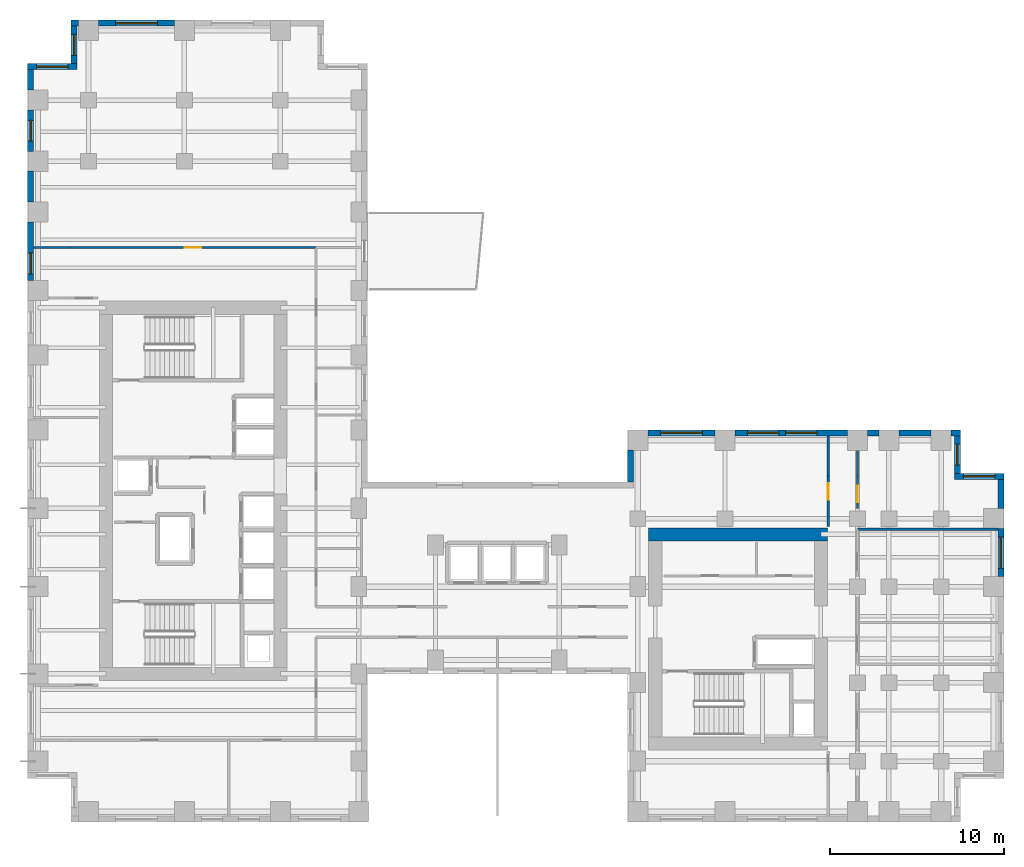
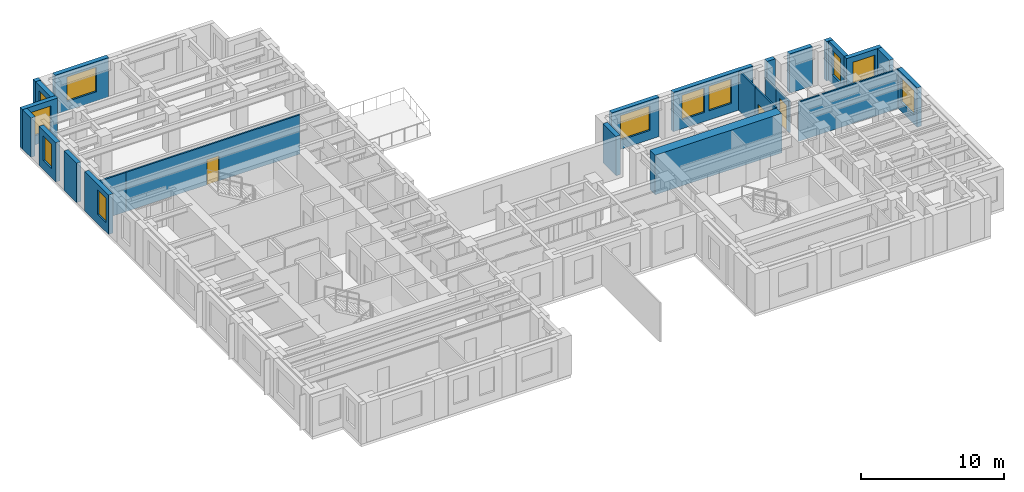
# One storey, part 8 of 11: 26 walls, 11 windows, 3 doors, 14 openings.
"""IFC4 building model written with IfcOpenShell, lengths in metres."""

from ifc_helpers import new_model, si_unit, direction, frame, frame_2d, origin, place, context, subcontext, project, spatial, rectangle, extrude, source, transform, mapped, material, layer, layer_set, type_object, element, fill, save


model = new_model("IFC4")

# Units and contexts
model_context = context("Model", 3, precision=1e-05, world=origin(), true_north=direction((0.0, 1.0)))
body_context = subcontext(model_context, "Body", "Model", "MODEL_VIEW")
ifc_project = project(units=[si_unit("LENGTHUNIT", "METRE"), si_unit("AREAUNIT", "SQUARE_METRE"), si_unit("VOLUMEUNIT", "CUBIC_METRE"), si_unit("PLANEANGLEUNIT", "RADIAN"), si_unit("MASSUNIT", "GRAM", prefix="KILO")], contexts=[model_context])

# Site, building, storey
site_placement = place(None, origin())
site = spatial("IfcSite", under=ifc_project, at=site_placement, CompositionType="ELEMENT")
building_placement = place(site_placement, origin())
building = spatial("IfcBuilding", under=site, at=building_placement, Name="Kharzan Plaza Tower", CompositionType="ELEMENT")
storey_placement = place(building_placement, frame((0.0, 0.0, 99.0)))
storey = spatial("IfcBuildingStorey", under=building, at=storey_placement, Name="L26", CompositionType="ELEMENT", Elevation=99.0)

# Wall, opening, window
ifc_material_1 = material(Name="Concrete C40/50", Category="concrete")
ifc_layer_1 = layer(ifc_material_1, 0.35009765625)
ifc_layer_set_1 = layer_set([ifc_layer_1], Name="Concrete C40/50")
wall_type_1 = type_object("IfcWallType", Name="WL-EXT-MAS-Z2", PredefinedType="SOLIDWALL", material=ifc_layer_set_1)
wall_1_placement = place(storey_placement, frame((8.427001953125, 45.824951171875, 0.0), z_axis=(0.0, 0.0, 1.0), x_axis=(-1.0, 0.0, 0.0)))
wall_1 = element("IfcWall", 1, at=wall_1_placement, inside=storey, type_object=wall_type_1, Name="L26 Masonry-Frame Exterior Wall 12", PredefinedType="SOLIDWALL", context=body_context, shape_type="SweptSolid", body=[
    extrude(rectangle(XDim=4.35400390625, YDim=0.35009765625, at=frame_2d((2.177001953125, 0.0))), origin(), (0.0, 0.0, 1.0), 3.364990234375),
])
opening_1_placement = place(wall_1_placement, frame((0.97705078125, 0.0, 0.780029296875)))
opening_1 = element("IfcOpeningElement", 2, at=opening_1_placement, cuts=wall_1, Name="Opening W2", PredefinedType="OPENING", context=body_context, shape_type="SweptSolid", body=[
    extrude(rectangle(XDim=2.39990234375, YDim=2.10009765625, at=frame_2d((1.199951171875, 1.050048828125))), frame((0.0, 0.18505859375, 0.0), z_axis=(0.0, -1.0, 0.0), x_axis=(1.0, 0.0, 0.0)), (0.0, 0.0, 1.0), 0.3701171875),
])
ifc_material_2 = material(Name="Low-E Double Glazing", Category="glass")
window_type_1 = type_object("IfcWindowType", Name="WN-REC-2400x2100", PartitioningType="SINGLE_PANEL", PredefinedType="WINDOW", material=ifc_material_2)
shared_shape_1 = source(origin(), body_context, "Body", "SweptSolid", [
    extrude(rectangle(XDim=2.39990234375, YDim=2.10009765625, at=frame_2d((1.199951171875, 1.050048828125))), frame((0.0, 0.030029296875, 0.0), z_axis=(0.0, -1.0, 0.0), x_axis=(1.0, 0.0, 0.0)), (0.0, 0.0, 1.0), 0.06005859375),
])
window_1_placement = place(opening_1_placement, origin())
window_1 = element("IfcWindow", 3, at=window_1_placement, inside=storey, type_object=window_type_1, Name="L26 Wide Recessed Solar-Control Window 12-1", OverallHeight=2.10009765625, OverallWidth=2.39990234375, PartitioningType="SINGLE_PANEL", PredefinedType="WINDOW", context=body_context, shape_type="MappedRepresentation", body=[
    mapped(shared_shape_1, transform((0.0, 0.0, 0.0), x_axis=(1.0, 0.0, 0.0), y_axis=(0.0, 1.0, 0.0), z_axis=(0.0, 0.0, 1.0))),
])
fill(opening_1, window_1)

wall_2_placement = place(storey_placement, frame((2.675048828125, 45.652099609375, 0.0), z_axis=(0.0, 0.0, 1.0), x_axis=(0.0, -1.0, 0.0)))
wall_2 = element("IfcWall", 4, at=wall_2_placement, inside=storey, type_object=wall_type_1, Name="L26 Masonry-Frame Exterior Wall 14", PredefinedType="SOLIDWALL", context=body_context, shape_type="SweptSolid", body=[
    extrude(rectangle(XDim=2.154052734375, YDim=0.35009765625, at=frame_2d((1.0771484375, 0.0))), origin(), (0.0, 0.0, 1.0), 3.364990234375),
])
opening_2_placement = place(wall_2_placement, frame((0.47705078125, 0.0, 0.780029296875)))
opening_2 = element("IfcOpeningElement", 5, at=opening_2_placement, cuts=wall_2, Name="Opening W3", PredefinedType="OPENING", context=body_context, shape_type="SweptSolid", body=[
    extrude(rectangle(XDim=1.199951171875, YDim=2.10009765625, at=frame_2d((0.60009765625, 1.050048828125))), frame((0.0, 0.18505859375, 0.0), z_axis=(0.0, -1.0, 0.0), x_axis=(1.0, 0.0, 0.0)), (0.0, 0.0, 1.0), 0.3701171875),
])
window_type_2 = type_object("IfcWindowType", Name="WN-REC-1200x2100", PartitioningType="SINGLE_PANEL", PredefinedType="WINDOW", material=ifc_material_2)
shared_shape_2 = source(origin(), body_context, "Body", "SweptSolid", [
    extrude(rectangle(XDim=1.199951171875, YDim=2.10009765625, at=frame_2d((0.60009765625, 1.050048828125))), frame((0.0, 0.030029296875, 0.0), z_axis=(0.0, -1.0, 0.0), x_axis=(1.0, 0.0, 0.0)), (0.0, 0.0, 1.0), 0.06005859375),
])
window_2_placement = place(opening_2_placement, origin())
window_2 = element("IfcWindow", 6, at=window_2_placement, inside=storey, type_object=window_type_2, Name="L26 Recessed Solar-Control Window 14-1", OverallHeight=2.10009765625, OverallWidth=1.199951171875, PartitioningType="SINGLE_PANEL", PredefinedType="WINDOW", context=body_context, shape_type="MappedRepresentation", body=[
    mapped(shared_shape_2, transform((0.0, 0.0, 0.0), x_axis=(1.0, 0.0, 0.0), y_axis=(0.0, 1.0, 0.0), z_axis=(0.0, 0.0, 1.0))),
])
fill(opening_2, window_2)

wall_3_placement = place(storey_placement, frame((2.85009765625, 43.324951171875, 0.0), z_axis=(0.0, 0.0, 1.0), x_axis=(-1.0, 0.0, 0.0)))
wall_3 = element("IfcWall", 7, at=wall_3_placement, inside=storey, type_object=wall_type_1, Name="L26 Masonry-Frame Exterior Wall 15", PredefinedType="SOLIDWALL", context=body_context, shape_type="SweptSolid", body=[
    extrude(rectangle(XDim=2.85009765625, YDim=0.35009765625, at=frame_2d((1.425048828125, 0.0))), origin(), (0.0, 0.0, 1.0), 3.364990234375),
])
opening_3_placement = place(wall_3_placement, frame((0.52490234375, 0.0, 0.780029296875)))
opening_3 = element("IfcOpeningElement", 8, at=opening_3_placement, cuts=wall_3, Name="Opening W1", PredefinedType="OPENING", context=body_context, shape_type="SweptSolid", body=[
    extrude(rectangle(XDim=1.800048828125, YDim=2.10009765625, at=frame_2d((0.89990234375, 1.050048828125))), frame((0.0, 0.18505859375, 0.0), z_axis=(0.0, -1.0, 0.0), x_axis=(1.0, 0.0, 0.0)), (0.0, 0.0, 1.0), 0.3701171875),
])
window_type_3 = type_object("IfcWindowType", Name="WN-REC-1800x2100", PartitioningType="SINGLE_PANEL", PredefinedType="WINDOW", material=ifc_material_2)
shared_shape_3 = source(origin(), body_context, "Body", "SweptSolid", [
    extrude(rectangle(XDim=1.800048828125, YDim=2.10009765625, at=frame_2d((0.89990234375, 1.050048828125))), frame((0.0, 0.030029296875, 0.0), z_axis=(0.0, -1.0, 0.0), x_axis=(1.0, 0.0, 0.0)), (0.0, 0.0, 1.0), 0.06005859375),
])
window_3_placement = place(opening_3_placement, origin())
window_3 = element("IfcWindow", 9, at=window_3_placement, inside=storey, type_object=window_type_3, Name="L26 Recessed Solar-Control Window 15-1", OverallHeight=2.10009765625, OverallWidth=1.800048828125, PartitioningType="SINGLE_PANEL", PredefinedType="WINDOW", context=body_context, shape_type="MappedRepresentation", body=[
    mapped(shared_shape_3, transform((0.0, 0.0, 0.0), x_axis=(1.0, 0.0, 0.0), y_axis=(0.0, 1.0, 0.0), z_axis=(0.0, 0.0, 1.0))),
])
fill(opening_3, window_3)

wall_4_placement = place(storey_placement, frame((0.175048828125, 40.826904296875, 0.0), z_axis=(0.0, 0.0, 1.0), x_axis=(0.0, -1.0, 0.0)))
wall_4 = element("IfcWall", 10, at=wall_4_placement, inside=storey, type_object=wall_type_1, Name="L26 Masonry-Frame Exterior Wall 17", PredefinedType="SOLIDWALL", context=body_context, shape_type="SweptSolid", body=[
    extrude(rectangle(XDim=2.35400390625, YDim=0.35009765625, at=frame_2d((1.177001953125, 0.0))), origin(), (0.0, 0.0, 1.0), 3.364990234375),
])
opening_4_placement = place(wall_4_placement, frame((0.576904296875, 0.0, 0.780029296875)))
opening_4 = element("IfcOpeningElement", 11, at=opening_4_placement, cuts=wall_4, Name="Opening W3", PredefinedType="OPENING", context=body_context, shape_type="SweptSolid", body=[
    extrude(rectangle(XDim=1.199951171875, YDim=2.10009765625, at=frame_2d((0.60009765625, 1.050048828125))), frame((0.0, 0.18505859375, 0.0), z_axis=(0.0, -1.0, 0.0), x_axis=(1.0, 0.0, 0.0)), (0.0, 0.0, 1.0), 0.3701171875),
])
window_4_placement = place(opening_4_placement, origin())
window_4 = element("IfcWindow", 12, at=window_4_placement, inside=storey, type_object=window_type_2, Name="L26 Recessed Solar-Control Window 17-1", OverallHeight=2.10009765625, OverallWidth=1.199951171875, PartitioningType="SINGLE_PANEL", PredefinedType="WINDOW", context=body_context, shape_type="MappedRepresentation", body=[
    mapped(shared_shape_2, transform((0.0, 0.0, 0.0), x_axis=(1.0, 0.0, 0.0), y_axis=(0.0, 1.0, 0.0), z_axis=(0.0, 0.0, 1.0))),
])
fill(opening_4, window_4)

wall_5_placement = place(storey_placement, frame((0.175048828125, 34.427001953125, 0.0), z_axis=(0.0, 0.0, 1.0), x_axis=(0.0, -1.0, 0.0)))
wall_5 = element("IfcWall", 13, at=wall_5_placement, inside=storey, type_object=wall_type_1, Name="L26 Masonry-Frame Exterior Wall 19", PredefinedType="SOLIDWALL", context=body_context, shape_type="SweptSolid", body=[
    extrude(rectangle(XDim=3.35400390625, YDim=0.35009765625, at=frame_2d((1.677001953125, 0.0))), origin(), (0.0, 0.0, 1.0), 3.364990234375),
])
opening_5_placement = place(wall_5_placement, frame((1.780517578125, 0.0, 0.780029296875)))
opening_5 = element("IfcOpeningElement", 14, at=opening_5_placement, cuts=wall_5, Name="Opening W3", PredefinedType="OPENING", context=body_context, shape_type="SweptSolid", body=[
    extrude(rectangle(XDim=1.199951171875, YDim=2.10009765625, at=frame_2d((0.60009765625, 1.050048828125))), frame((0.0, 0.18505859375, 0.0), z_axis=(0.0, -1.0, 0.0), x_axis=(1.0, 0.0, 0.0)), (0.0, 0.0, 1.0), 0.3701171875),
])
window_5_placement = place(opening_5_placement, origin())
window_5 = element("IfcWindow", 15, at=window_5_placement, inside=storey, type_object=window_type_2, Name="L26 Recessed Solar-Control Window 19-1", OverallHeight=2.10009765625, OverallWidth=1.199951171875, PartitioningType="SINGLE_PANEL", PredefinedType="WINDOW", context=body_context, shape_type="MappedRepresentation", body=[
    mapped(shared_shape_2, transform((0.0, 0.0, 0.0), x_axis=(1.0, 0.0, 0.0), y_axis=(0.0, 1.0, 0.0), z_axis=(0.0, 0.0, 1.0))),
])
fill(opening_5, window_5)

wall_6_placement = place(storey_placement, frame((55.824951171875, 14.072998046875, 0.0), z_axis=(0.0, 0.0, 1.0), x_axis=(0.0, 1.0, 0.0)))
wall_6 = element("IfcWall", 16, at=wall_6_placement, inside=storey, type_object=wall_type_1, Name="L26 Masonry-Frame Exterior Wall 48", PredefinedType="SOLIDWALL", context=body_context, shape_type="SweptSolid", body=[
    extrude(rectangle(XDim=2.75390625, YDim=0.35009765625, at=frame_2d((1.376953125, 0.0))), origin(), (0.0, 0.0, 1.0), 3.364990234375),
])
opening_6_placement = place(wall_6_placement, frame((0.47705078125, 0.0, 0.780029296875)))
opening_6 = element("IfcOpeningElement", 17, at=opening_6_placement, cuts=wall_6, Name="Opening W1", PredefinedType="OPENING", context=body_context, shape_type="SweptSolid", body=[
    extrude(rectangle(XDim=1.800048828125, YDim=2.10009765625, at=frame_2d((0.89990234375, 1.050048828125))), frame((0.0, 0.18505859375, 0.0), z_axis=(0.0, -1.0, 0.0), x_axis=(1.0, 0.0, 0.0)), (0.0, 0.0, 1.0), 0.3701171875),
])
window_6_placement = place(opening_6_placement, origin())
window_6 = element("IfcWindow", 18, at=window_6_placement, inside=storey, type_object=window_type_3, Name="L26 Recessed Solar-Control Window 48-1", OverallHeight=2.10009765625, OverallWidth=1.800048828125, PartitioningType="SINGLE_PANEL", PredefinedType="WINDOW", context=body_context, shape_type="MappedRepresentation", body=[
    mapped(shared_shape_3, transform((0.0, 0.0, 0.0), x_axis=(1.0, 0.0, 0.0), y_axis=(0.0, 1.0, 0.0), z_axis=(0.0, 0.0, 1.0))),
])
fill(opening_6, window_6)

wall_7_placement = place(storey_placement, frame((56.0, 19.824951171875, 0.0), z_axis=(0.0, 0.0, 1.0), x_axis=(-1.0, 0.0, 0.0)))
wall_7 = element("IfcWall", 19, at=wall_7_placement, inside=storey, type_object=wall_type_1, Name="L26 Masonry-Frame Exterior Wall 50", PredefinedType="SOLIDWALL", context=body_context, shape_type="SweptSolid", body=[
    extrude(rectangle(XDim=2.85009765625, YDim=0.35009765625, at=frame_2d((1.425048828125, 0.0))), origin(), (0.0, 0.0, 1.0), 3.364990234375),
])
opening_7_placement = place(wall_7_placement, frame((0.52490234375, 0.0, 0.780029296875)))
opening_7 = element("IfcOpeningElement", 20, at=opening_7_placement, cuts=wall_7, Name="Opening W1", PredefinedType="OPENING", context=body_context, shape_type="SweptSolid", body=[
    extrude(rectangle(XDim=1.800048828125, YDim=2.10009765625, at=frame_2d((0.89990234375, 1.050048828125))), frame((0.0, 0.18505859375, 0.0), z_axis=(0.0, -1.0, 0.0), x_axis=(1.0, 0.0, 0.0)), (0.0, 0.0, 1.0), 0.3701171875),
])
window_7_placement = place(opening_7_placement, origin())
window_7 = element("IfcWindow", 21, at=window_7_placement, inside=storey, type_object=window_type_3, Name="L26 Recessed Solar-Control Window 50-1", OverallHeight=2.10009765625, OverallWidth=1.800048828125, PartitioningType="SINGLE_PANEL", PredefinedType="WINDOW", context=body_context, shape_type="MappedRepresentation", body=[
    mapped(shared_shape_3, transform((0.0, 0.0, 0.0), x_axis=(1.0, 0.0, 0.0), y_axis=(0.0, 1.0, 0.0), z_axis=(0.0, 0.0, 1.0))),
])
fill(opening_7, window_7)

wall_8_placement = place(storey_placement, frame((53.324951171875, 19.998046875, 0.0), z_axis=(0.0, 0.0, 1.0), x_axis=(0.0, 1.0, 0.0)))
wall_8 = element("IfcWall", 22, at=wall_8_placement, inside=storey, type_object=wall_type_1, Name="L26 Masonry-Frame Exterior Wall 51", PredefinedType="SOLIDWALL", context=body_context, shape_type="SweptSolid", body=[
    extrude(rectangle(XDim=2.154052734375, YDim=0.35009765625, at=frame_2d((1.0771484375, 0.0))), origin(), (0.0, 0.0, 1.0), 3.364990234375),
])
opening_8_placement = place(wall_8_placement, frame((0.47705078125, 0.0, 0.780029296875)))
opening_8 = element("IfcOpeningElement", 23, at=opening_8_placement, cuts=wall_8, Name="Opening W3", PredefinedType="OPENING", context=body_context, shape_type="SweptSolid", body=[
    extrude(rectangle(XDim=1.199951171875, YDim=2.10009765625, at=frame_2d((0.60009765625, 1.050048828125))), frame((0.0, 0.18505859375, 0.0), z_axis=(0.0, -1.0, 0.0), x_axis=(1.0, 0.0, 0.0)), (0.0, 0.0, 1.0), 0.3701171875),
])
window_8_placement = place(opening_8_placement, origin())
window_8 = element("IfcWindow", 24, at=window_8_placement, inside=storey, type_object=window_type_2, Name="L26 Recessed Solar-Control Window 51-1", OverallHeight=2.10009765625, OverallWidth=1.199951171875, PartitioningType="SINGLE_PANEL", PredefinedType="WINDOW", context=body_context, shape_type="MappedRepresentation", body=[
    mapped(shared_shape_2, transform((0.0, 0.0, 0.0), x_axis=(1.0, 0.0, 0.0), y_axis=(0.0, 1.0, 0.0), z_axis=(0.0, 0.0, 1.0))),
])
fill(opening_8, window_8)

# Wall, openings, windows
wall_9_placement = place(storey_placement, frame((47.027099609375, 22.324951171875, 0.0), z_axis=(0.0, 0.0, 1.0), x_axis=(-1.0, 0.0, 0.0)))
wall_9 = element("IfcWall", 25, at=wall_9_placement, inside=storey, type_object=wall_type_1, Name="L26 Masonry-Frame Exterior Wall 55", PredefinedType="SOLIDWALL", context=body_context, shape_type="SweptSolid", body=[
    extrude(rectangle(XDim=6.4541015625, YDim=0.35009765625, at=frame_2d((3.22705078125, 0.0))), origin(), (0.0, 0.0, 1.0), 3.364990234375),
])
opening_9_placement = place(wall_9_placement, frame((1.749267578125, 0.0, 0.780029296875)))
opening_9 = element("IfcOpeningElement", 26, at=opening_9_placement, cuts=wall_9, Name="Opening W1", PredefinedType="OPENING", context=body_context, shape_type="SweptSolid", body=[
    extrude(rectangle(XDim=1.800048828125, YDim=2.10009765625, at=frame_2d((0.89990234375, 1.050048828125))), frame((0.0, 0.18505859375, 0.0), z_axis=(0.0, -1.0, 0.0), x_axis=(1.0, 0.0, 0.0)), (0.0, 0.0, 1.0), 0.3701171875),
])
opening_10_placement = place(wall_9_placement, frame((3.941650390625, 0.0, 0.780029296875)))
opening_10 = element("IfcOpeningElement", 27, at=opening_10_placement, cuts=wall_9, Name="Opening W1", PredefinedType="OPENING", context=body_context, shape_type="SweptSolid", body=[
    extrude(rectangle(XDim=1.800048828125, YDim=2.10009765625, at=frame_2d((0.89990234375, 1.050048828125))), frame((0.0, 0.18505859375, 0.0), z_axis=(0.0, -1.0, 0.0), x_axis=(1.0, 0.0, 0.0)), (0.0, 0.0, 1.0), 0.3701171875),
])
window_9_placement = place(opening_9_placement, origin())
window_9 = element("IfcWindow", 28, at=window_9_placement, inside=storey, type_object=window_type_3, Name="L26 Recessed Solar-Control Window 55-1", OverallHeight=2.10009765625, OverallWidth=1.800048828125, PartitioningType="SINGLE_PANEL", PredefinedType="WINDOW", context=body_context, shape_type="MappedRepresentation", body=[
    mapped(shared_shape_3, transform((0.0, 0.0, 0.0), x_axis=(1.0, 0.0, 0.0), y_axis=(0.0, 1.0, 0.0), z_axis=(0.0, 0.0, 1.0))),
])
fill(opening_9, window_9)
window_10_placement = place(opening_10_placement, origin())
window_10 = element("IfcWindow", 29, at=window_10_placement, inside=storey, type_object=window_type_3, Name="L26 Recessed Solar-Control Window 55-2", OverallHeight=2.10009765625, OverallWidth=1.800048828125, PartitioningType="SINGLE_PANEL", PredefinedType="WINDOW", context=body_context, shape_type="MappedRepresentation", body=[
    mapped(shared_shape_3, transform((0.0, 0.0, 0.0), x_axis=(1.0, 0.0, 0.0), y_axis=(0.0, 1.0, 0.0), z_axis=(0.0, 0.0, 1.0))),
])
fill(opening_10, window_10)

# Wall, opening, window
wall_10_placement = place(storey_placement, frame((39.427001953125, 22.324951171875, 0.0), z_axis=(0.0, 0.0, 1.0), x_axis=(-1.0, 0.0, 0.0)))
wall_10 = element("IfcWall", 30, at=wall_10_placement, inside=storey, type_object=wall_type_1, Name="L26 Masonry-Frame Exterior Wall 56", PredefinedType="SOLIDWALL", context=body_context, shape_type="SweptSolid", body=[
    extrude(rectangle(XDim=3.85400390625, YDim=0.35009765625, at=frame_2d((1.927001953125, 0.0))), origin(), (0.0, 0.0, 1.0), 3.364990234375),
])
opening_11_placement = place(wall_10_placement, frame((0.72705078125, 0.0, 0.780029296875)))
opening_11 = element("IfcOpeningElement", 31, at=opening_11_placement, cuts=wall_10, Name="Opening W2", PredefinedType="OPENING", context=body_context, shape_type="SweptSolid", body=[
    extrude(rectangle(XDim=2.39990234375, YDim=2.10009765625, at=frame_2d((1.199951171875, 1.050048828125))), frame((0.0, 0.18505859375, 0.0), z_axis=(0.0, -1.0, 0.0), x_axis=(1.0, 0.0, 0.0)), (0.0, 0.0, 1.0), 0.3701171875),
])
window_11_placement = place(opening_11_placement, origin())
window_11 = element("IfcWindow", 32, at=window_11_placement, inside=storey, type_object=window_type_1, Name="L26 Wide Recessed Solar-Control Window 56-1", OverallHeight=2.10009765625, OverallWidth=2.39990234375, PartitioningType="SINGLE_PANEL", PredefinedType="WINDOW", context=body_context, shape_type="MappedRepresentation", body=[
    mapped(shared_shape_1, transform((0.0, 0.0, 0.0), x_axis=(1.0, 0.0, 0.0), y_axis=(0.0, 1.0, 0.0), z_axis=(0.0, 0.0, 1.0))),
])
fill(opening_11, window_11)

# Wall, opening, door
ifc_material_3 = material(Name="Fire-Rated Gypsum Board Partition", Category="gypsum")
ifc_layer_2 = layer(ifc_material_3, 0.125)
ifc_layer_set_2 = layer_set([ifc_layer_2], Name="Fire-Rated Gypsum Board Partition")
wall_type_2 = type_object("IfcWallType", Name="WL-INT-PART-125", PredefinedType="PARTITIONING", material=ifc_layer_set_2)
wall_11_placement = place(storey_placement, frame((47.60009765625, 17.989990234375, 0.0), z_axis=(0.0, 0.0, 1.0), x_axis=(0.0, 1.0, 0.0)))
wall_11 = element("IfcWall", 33, at=wall_11_placement, inside=storey, type_object=wall_type_2, Name="L26 Interior Partition SH-B1W2", PredefinedType="PARTITIONING", context=body_context, shape_type="SweptSolid", body=[
    extrude(rectangle(XDim=1.860107421875, YDim=0.125, at=frame_2d((0.93017578125, 0.0))), origin(), (0.0, 0.0, 1.0), 2.677001953125),
])
opening_12_placement = place(wall_11_placement, frame((0.36328125, 0.0, 0.0)))
opening_12 = element("IfcOpeningElement", 34, at=opening_12_placement, cuts=wall_11, Name="Opening OD1", PredefinedType="OPENING", context=body_context, shape_type="SweptSolid", body=[
    extrude(rectangle(XDim=0.949951171875, YDim=2.14990234375, at=frame_2d((0.47509765625, 1.074951171875))), frame((0.0, 0.072509765625, 0.0), z_axis=(0.0, -1.0, 0.0), x_axis=(1.0, 0.0, 0.0)), (0.0, 0.0, 1.0), 0.14501953125),
])
ifc_material_4 = material(Name="Acoustic Solid-Core Stained Oak", Category="timber")
door_type = type_object("IfcDoorType", Name="DR-OFF-SINGLE", OperationType="NOTDEFINED", PredefinedType="DOOR", material=ifc_material_4)
shared_shape_4 = source(origin(), body_context, "Body", "SweptSolid", [
    extrude(rectangle(XDim=0.949951171875, YDim=2.14990234375, at=frame_2d((0.47509765625, 1.074951171875))), frame((0.0, 0.02490234375, 0.0), z_axis=(0.0, -1.0, 0.0), x_axis=(1.0, 0.0, 0.0)), (0.0, 0.0, 1.0), 0.050048828125),
])
door_1_placement = place(opening_12_placement, origin())
door_1 = element("IfcDoor", 35, at=door_1_placement, inside=storey, type_object=door_type, Name="L26 Wing B North Office Door", OperationType="SINGLE_SWING_RIGHT", OverallHeight=2.14990234375, OverallWidth=0.949951171875, PredefinedType="DOOR", context=body_context, shape_type="MappedRepresentation", body=[
    mapped(shared_shape_4, transform((0.0, 0.0, 0.0), x_axis=(1.0, 0.0, 0.0), y_axis=(0.0, 1.0, 0.0), z_axis=(0.0, 0.0, 1.0))),
])
fill(opening_12, door_1)

wall_12_placement = place(storey_placement, frame((2.449951171875, 32.949951171875, 0.0), z_axis=(0.0, 0.0, 1.0), x_axis=(1.0, 0.0, 0.0)))
wall_12 = element("IfcWall", 36, at=wall_12_placement, inside=storey, type_object=wall_type_2, Name="L26 Interior Partition SH-NN-1", PredefinedType="PARTITIONING", context=body_context, shape_type="SweptSolid", body=[
    extrude(rectangle(XDim=14.10009765625, YDim=0.125, at=frame_2d((7.050048828125, 0.0))), origin(), (0.0, 0.0, 1.0), 3.364990234375),
])
opening_13_placement = place(wall_12_placement, frame((6.574951171875, 0.0, 0.0)))
opening_13 = element("IfcOpeningElement", 37, at=opening_13_placement, cuts=wall_12, Name="Opening OD1", PredefinedType="OPENING", context=body_context, shape_type="SweptSolid", body=[
    extrude(rectangle(XDim=0.949951171875, YDim=2.14990234375, at=frame_2d((0.47509765625, 1.074951171875))), frame((0.0, 0.072509765625, 0.0), z_axis=(0.0, -1.0, 0.0), x_axis=(1.0, 0.0, 0.0)), (0.0, 0.0, 1.0), 0.14501953125),
])
door_2_placement = place(opening_13_placement, origin())
door_2 = element("IfcDoor", 38, at=door_2_placement, inside=storey, type_object=door_type, Name="L26 Maritime Chartering Room Door", OperationType="SINGLE_SWING_LEFT", OverallHeight=2.14990234375, OverallWidth=0.949951171875, PredefinedType="DOOR", context=body_context, shape_type="MappedRepresentation", body=[
    mapped(shared_shape_4, transform((0.0, 0.0, 0.0), x_axis=(1.0, 0.0, 0.0), y_axis=(0.0, 1.0, 0.0), z_axis=(0.0, 0.0, 1.0))),
])
fill(opening_13, door_2)

wall_13_placement = place(storey_placement, frame((45.919921875, 16.949951171875, 0.0), z_axis=(0.0, 0.0, 1.0), x_axis=(0.0, 1.0, 0.0)))
wall_13 = element("IfcWall", 39, at=wall_13_placement, inside=storey, type_object=wall_type_2, Name="L26 Interior Partition SH-RBNE", PredefinedType="PARTITIONING", context=body_context, shape_type="SweptSolid", body=[
    extrude(rectangle(XDim=2.900146484375, YDim=0.125, at=frame_2d((1.4501953125, 0.0))), origin(), (0.0, 0.0, 1.0), 3.364990234375),
])
opening_14_placement = place(wall_13_placement, frame((1.54296875, 0.0, 0.0)))
opening_14 = element("IfcOpeningElement", 40, at=opening_14_placement, cuts=wall_13, Name="Opening OD1", PredefinedType="OPENING", context=body_context, shape_type="SweptSolid", body=[
    extrude(rectangle(XDim=0.949951171875, YDim=2.14990234375, at=frame_2d((0.47509765625, 1.074951171875))), frame((0.0, 0.072509765625, 0.0), z_axis=(0.0, -1.0, 0.0), x_axis=(1.0, 0.0, 0.0)), (0.0, 0.0, 1.0), 0.14501953125),
])
door_3_placement = place(opening_14_placement, origin())
door_3 = element("IfcDoor", 41, at=door_3_placement, inside=storey, type_object=door_type, Name="L26 Wing B North Studio Door", OperationType="SINGLE_SWING_RIGHT", OverallHeight=2.14990234375, OverallWidth=0.949951171875, PredefinedType="DOOR", context=body_context, shape_type="MappedRepresentation", body=[
    mapped(shared_shape_4, transform((0.0, 0.0, 0.0), x_axis=(1.0, 0.0, 0.0), y_axis=(0.0, 1.0, 0.0), z_axis=(0.0, 0.0, 1.0))),
])
fill(opening_14, door_3)

# Walls
shared_shape_5 = source(origin(), body_context, "Body", "SweptSolid", [
    extrude(rectangle(XDim=2.2978515625, YDim=0.125, at=frame_2d((1.14892578125, 0.0))), origin(), (0.0, 0.0, 1.0), 3.364990234375),
])
wall_14_placement = place(storey_placement, frame((45.919921875, 19.85009765625, 0.0), z_axis=(0.0, 0.0, 1.0), x_axis=(0.0, 1.0, 0.0)))
element("IfcWall", 42, at=wall_14_placement, inside=storey, type_object=wall_type_2, Name="L26 Interior Partition SH-RBNE0", PredefinedType="PARTITIONING", context=body_context, shape_type="MappedRepresentation", body=[
    mapped(shared_shape_5, transform((0.0, 0.0, 0.0), x_axis=(1.0, 0.0, 0.0), y_axis=(0.0, 1.0, 0.0), z_axis=(0.0, 0.0, 1.0))),
])
shared_shape_6 = source(origin(), body_context, "Body", "SweptSolid", [
    extrude(rectangle(XDim=2.097900390625, YDim=0.125, at=frame_2d((1.048828125, 0.0))), origin(), (0.0, 0.0, 1.0), 3.364990234375),
])
wall_15_placement = place(storey_placement, frame((0.35205078125, 32.949951171875, 0.0), z_axis=(0.0, 0.0, 1.0), x_axis=(1.0, 0.0, 0.0)))
element("IfcWall", 43, at=wall_15_placement, inside=storey, type_object=wall_type_2, Name="L26 Interior Partition SH-NNW0", PredefinedType="PARTITIONING", context=body_context, shape_type="MappedRepresentation", body=[
    mapped(shared_shape_6, transform((0.0, 0.0, 0.0), x_axis=(1.0, 0.0, 0.0), y_axis=(0.0, 1.0, 0.0), z_axis=(0.0, 0.0, 1.0))),
])
shared_shape_7 = source(origin(), body_context, "Body", "SweptSolid", [
    extrude(rectangle(XDim=0.427001953125, YDim=0.35009765625, at=frame_2d((0.21337890625, 0.0))), origin(), (0.0, 0.0, 1.0), 3.364990234375),
])
wall_16_placement = place(storey_placement, frame((2.927001953125, 45.824951171875, 0.0), z_axis=(0.0, 0.0, 1.0), x_axis=(-1.0, 0.0, 0.0)))
element("IfcWall", 44, at=wall_16_placement, inside=storey, type_object=wall_type_1, Name="L26 Masonry-Frame Exterior Wall 13", PredefinedType="SOLIDWALL", context=body_context, shape_type="MappedRepresentation", body=[
    mapped(shared_shape_7, transform((0.0, 0.0, 0.0), x_axis=(1.0, 0.0, 0.0), y_axis=(0.0, 1.0, 0.0), z_axis=(0.0, 0.0, 1.0))),
])
shared_shape_8 = source(origin(), body_context, "Body", "SweptSolid", [
    extrude(rectangle(XDim=1.17919921875, YDim=0.35009765625, at=frame_2d((0.589599609375, 0.0))), origin(), (0.0, 0.0, 1.0), 3.364990234375),
])
wall_17_placement = place(storey_placement, frame((0.175048828125, 43.152099609375, 0.0), z_axis=(0.0, 0.0, 1.0), x_axis=(0.0, -1.0, 0.0)))
element("IfcWall", 45, at=wall_17_placement, inside=storey, type_object=wall_type_1, Name="L26 Masonry-Frame Exterior Wall 16", PredefinedType="SOLIDWALL", context=body_context, shape_type="MappedRepresentation", body=[
    mapped(shared_shape_8, transform((0.0, 0.0, 0.0), x_axis=(1.0, 0.0, 0.0), y_axis=(0.0, 1.0, 0.0), z_axis=(0.0, 0.0, 1.0))),
])
shared_shape_9 = source(origin(), body_context, "Body", "SweptSolid", [
    extrude(rectangle(XDim=1.75390625, YDim=0.35009765625, at=frame_2d((0.876953125, 0.0))), origin(), (0.0, 0.0, 1.0), 3.364990234375),
])
wall_18_placement = place(storey_placement, frame((0.175048828125, 37.326904296875, 0.0), z_axis=(0.0, 0.0, 1.0), x_axis=(0.0, -1.0, 0.0)))
element("IfcWall", 46, at=wall_18_placement, inside=storey, type_object=wall_type_1, Name="L26 Masonry-Frame Exterior Wall 18", PredefinedType="SOLIDWALL", context=body_context, shape_type="MappedRepresentation", body=[
    mapped(shared_shape_9, transform((0.0, 0.0, 0.0), x_axis=(1.0, 0.0, 0.0), y_axis=(0.0, 1.0, 0.0), z_axis=(0.0, 0.0, 1.0))),
])
shared_shape_10 = source(origin(), body_context, "Body", "SweptSolid", [
    extrude(rectangle(XDim=0.65380859375, YDim=0.35009765625, at=frame_2d((0.326904296875, 0.0))), origin(), (0.0, 0.0, 1.0), 3.364990234375),
])
wall_19_placement = place(storey_placement, frame((48.826904296875, 22.324951171875, 0.0), z_axis=(0.0, 0.0, 1.0), x_axis=(-1.0, 0.0, 0.0)))
element("IfcWall", 47, at=wall_19_placement, inside=storey, type_object=wall_type_1, Name="L26 Masonry-Frame Exterior Wall 54", PredefinedType="SOLIDWALL", context=body_context, shape_type="MappedRepresentation", body=[
    mapped(shared_shape_10, transform((0.0, 0.0, 0.0), x_axis=(1.0, 0.0, 0.0), y_axis=(0.0, 1.0, 0.0), z_axis=(0.0, 0.0, 1.0))),
])
shared_shape_11 = source(origin(), body_context, "Body", "SweptSolid", [
    extrude(rectangle(XDim=1.85400390625, YDim=0.35009765625, at=frame_2d((0.927001953125, 0.0))), origin(), (0.0, 0.0, 1.0), 3.364990234375),
])
wall_20_placement = place(storey_placement, frame((51.826904296875, 22.324951171875, 0.0), z_axis=(0.0, 0.0, 1.0), x_axis=(-1.0, 0.0, 0.0)))
element("IfcWall", 48, at=wall_20_placement, inside=storey, type_object=wall_type_1, Name="L26 Masonry-Frame Exterior Wall 53", PredefinedType="SOLIDWALL", context=body_context, shape_type="MappedRepresentation", body=[
    mapped(shared_shape_11, transform((0.0, 0.0, 0.0), x_axis=(1.0, 0.0, 0.0), y_axis=(0.0, 1.0, 0.0), z_axis=(0.0, 0.0, 1.0))),
])
shared_shape_12 = source(origin(), body_context, "Body", "SweptSolid", [
    extrude(rectangle(XDim=0.527099609375, YDim=0.35009765625, at=frame_2d((0.263671875, 0.0))), origin(), (0.0, 0.0, 1.0), 3.364990234375),
])
wall_21_placement = place(storey_placement, frame((53.5, 22.324951171875, 0.0), z_axis=(0.0, 0.0, 1.0), x_axis=(-1.0, 0.0, 0.0)))
element("IfcWall", 49, at=wall_21_placement, inside=storey, type_object=wall_type_1, Name="L26 Masonry-Frame Exterior Wall 52", PredefinedType="SOLIDWALL", context=body_context, shape_type="MappedRepresentation", body=[
    mapped(shared_shape_12, transform((0.0, 0.0, 0.0), x_axis=(1.0, 0.0, 0.0), y_axis=(0.0, 1.0, 0.0), z_axis=(0.0, 0.0, 1.0))),
])
shared_shape_13 = source(origin(), body_context, "Body", "SweptSolid", [
    extrude(rectangle(XDim=1.67919921875, YDim=0.35009765625, at=frame_2d((0.839599609375, 0.0))), origin(), (0.0, 0.0, 1.0), 3.364990234375),
])
wall_22_placement = place(storey_placement, frame((55.824951171875, 17.972900390625, 0.0), z_axis=(0.0, 0.0, 1.0), x_axis=(0.0, 1.0, 0.0)))
element("IfcWall", 50, at=wall_22_placement, inside=storey, type_object=wall_type_1, Name="L26 Masonry-Frame Exterior Wall 49", PredefinedType="SOLIDWALL", context=body_context, shape_type="MappedRepresentation", body=[
    mapped(shared_shape_13, transform((0.0, 0.0, 0.0), x_axis=(1.0, 0.0, 0.0), y_axis=(0.0, 1.0, 0.0), z_axis=(0.0, 0.0, 1.0))),
])
shared_shape_14 = source(origin(), body_context, "Body", "SweptSolid", [
    extrude(rectangle(XDim=8.0478515625, YDim=0.125, at=frame_2d((4.02392578125, 0.0))), origin(), (0.0, 0.0, 1.0), 3.364990234375),
])
wall_23_placement = place(storey_placement, frame((47.60009765625, 16.800048828125, 0.0), z_axis=(0.0, 0.0, 1.0), x_axis=(1.0, 0.0, 0.0)))
element("IfcWall", 51, at=wall_23_placement, inside=storey, type_object=wall_type_2, Name="L26 Interior Partition SH-B1H-168", PredefinedType="PARTITIONING", context=body_context, shape_type="MappedRepresentation", body=[
    mapped(shared_shape_14, transform((0.0, 0.0, 0.0), x_axis=(1.0, 0.0, 0.0), y_axis=(0.0, 1.0, 0.0), z_axis=(0.0, 0.0, 1.0))),
])
ifc_material_5 = material(Name="Concrete C60/75", Category="concrete")
ifc_layer_3 = layer(ifc_material_5, 0.75)
ifc_layer_set_3 = layer_set([ifc_layer_3], Name="Concrete C60/75")
wall_type_3 = type_object("IfcWallType", Name="WL-CORE-750", PredefinedType="SHEAR", material=ifc_layer_set_3)
shared_shape_15 = source(origin(), body_context, "Body", "SweptSolid", [
    extrude(rectangle(XDim=10.25, YDim=0.75, at=frame_2d((5.125, 0.0))), origin(), (0.0, 0.0, 1.0), 3.3798828125),
])
wall_24_placement = place(storey_placement, frame((35.625, 16.5, 0.0), z_axis=(0.0, 0.0, 1.0), x_axis=(1.0, 0.0, 0.0)))
element("IfcWall", 52, at=wall_24_placement, inside=storey, type_object=wall_type_3, Name="L26 CORE-B north RC shear wall", PredefinedType="SHEAR", context=body_context, shape_type="MappedRepresentation", body=[
    mapped(shared_shape_15, transform((0.0, 0.0, 0.0), x_axis=(1.0, 0.0, 0.0), y_axis=(0.0, 1.0, 0.0), z_axis=(0.0, 0.0, 1.0))),
])
shared_shape_16 = source(origin(), body_context, "Body", "SweptSolid", [
    extrude(rectangle(XDim=1.4599609375, YDim=0.125, at=frame_2d((0.72998046875, 0.0))), origin(), (0.0, 0.0, 1.0), 2.677001953125),
])
wall_25_placement = place(storey_placement, frame((47.60009765625, 19.85009765625, 0.0), z_axis=(0.0, 0.0, 1.0), x_axis=(0.0, 1.0, 0.0)))
element("IfcWall", 53, at=wall_25_placement, inside=storey, type_object=wall_type_2, Name="L26 Interior Partition SH-B1W2N", PredefinedType="PARTITIONING", context=body_context, shape_type="MappedRepresentation", body=[
    mapped(shared_shape_16, transform((0.0, 0.0, 0.0), x_axis=(1.0, 0.0, 0.0), y_axis=(0.0, 1.0, 0.0), z_axis=(0.0, 0.0, 1.0))),
])
shared_shape_17 = source(origin(), body_context, "Body", "SweptSolid", [
    extrude(rectangle(XDim=1.828857421875, YDim=0.35009765625, at=frame_2d((0.91455078125, 0.0))), origin(), (0.0, 0.0, 1.0), 3.364990234375),
])
wall_26_placement = place(storey_placement, frame((34.574951171875, 21.326904296875, 0.0), z_axis=(0.0, 0.0, 1.0), x_axis=(0.0, -1.0, 0.0)))
element("IfcWall", 54, at=wall_26_placement, inside=storey, type_object=wall_type_1, Name="L26 Masonry-Frame Exterior Wall 57", PredefinedType="SOLIDWALL", context=body_context, shape_type="MappedRepresentation", body=[
    mapped(shared_shape_17, transform((0.0, 0.0, 0.0), x_axis=(1.0, 0.0, 0.0), y_axis=(0.0, 1.0, 0.0), z_axis=(0.0, 0.0, 1.0))),
])

save(model, "model.ifc")
